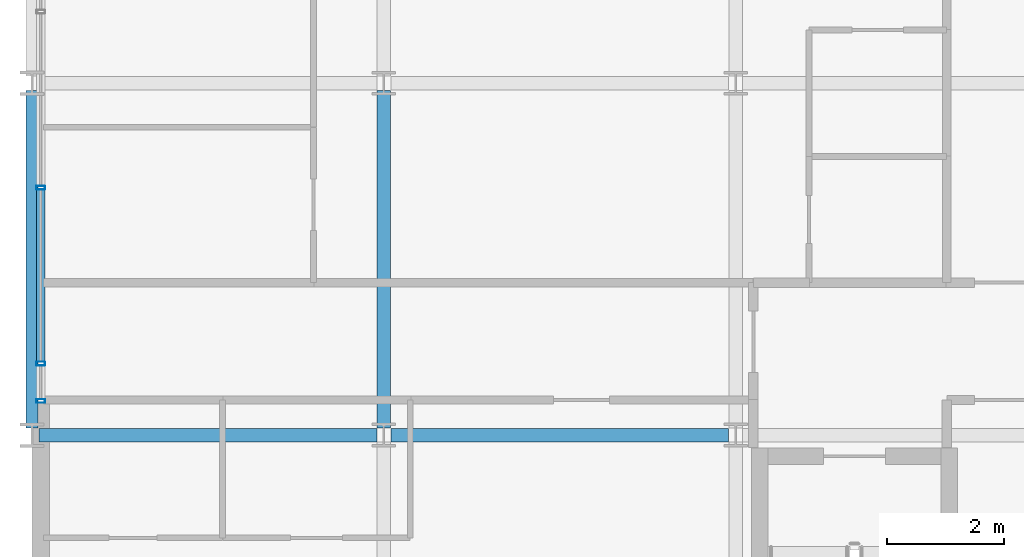
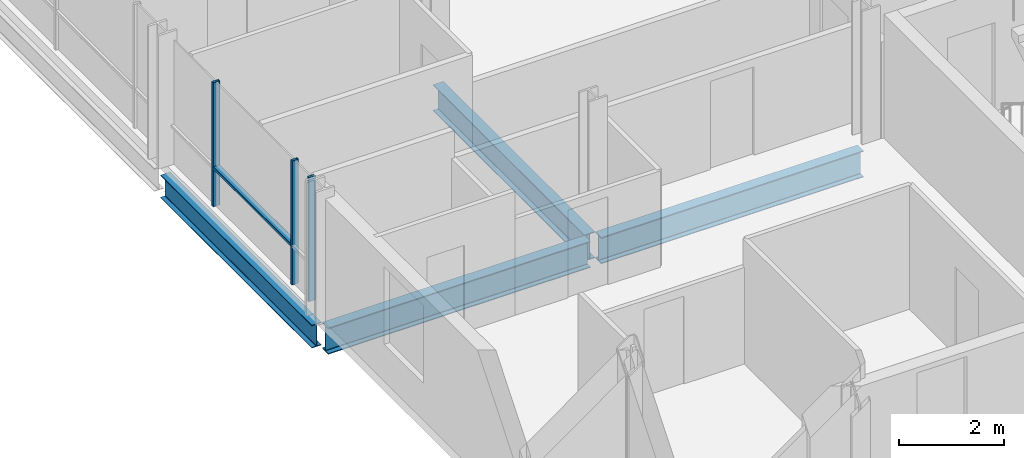
# One storey, part 4 of 41: 4 beams, 4 members, 1 element without a shape of its own.
"""IFC4 building model written with IfcOpenShell, lengths in metres."""

from ifc_helpers import new_model, si_unit, direction, frame, origin, origin_2d, place, context, subcontext, project, spatial, hollow_rectangle, i_section, extrude, material, layer, layer_set, material_profile, profile_set, type_object, element, aggregate, save


model = new_model("IFC4")

# Units and contexts
model_context = context("Model", 3, precision=1e-05, world=origin(), true_north=direction((0.0, 1.0)))
body_context = subcontext(model_context, "Body", "Model", "MODEL_VIEW")
ifc_project = project(units=[si_unit("LENGTHUNIT", "METRE"), si_unit("AREAUNIT", "SQUARE_METRE"), si_unit("VOLUMEUNIT", "CUBIC_METRE"), si_unit("PLANEANGLEUNIT", "RADIAN"), si_unit("MASSUNIT", "GRAM", prefix="KILO")], contexts=[model_context])

# Site, building, storey
site_placement = place(None, origin())
site = spatial("IfcSite", under=ifc_project, at=site_placement, CompositionType="ELEMENT")
building_placement = place(site_placement, origin())
building = spatial("IfcBuilding", under=site, at=building_placement, Name="Brevholm Reach", CompositionType="ELEMENT")
storey_placement = place(building_placement, frame((0.0, 0.0, 138.699951171875)))
storey = spatial("IfcBuildingStorey", under=building, at=storey_placement, Name="L41", CompositionType="ELEMENT", Elevation=138.699951171875)

# Beams
ifc_material_1 = material(Name="Structural Steel S355J2", Category="steel")
ifc_material_profile_1 = material_profile(ifc_material_1, i_section(OverallWidth=0.209228515625, OverallDepth=0.533203125, WebThickness=0.010009765625, FlangeThickness=0.015625, FilletRadius=0.0126953125, at=origin_2d()), Name="UKB 533x210x92")
ifc_profile_set_1 = profile_set([ifc_material_profile_1], Name="Structural Steel S355J2")
beam_type_1 = type_object("IfcBeamType", Name="BM-SP533", PredefinedType="SPANDREL", material=ifc_profile_set_1)
beam_placement = place(storey_placement, frame((0.0, 10.1201171875, -0.486572265625), z_axis=(0.0, 1.0, 0.0), x_axis=(-1.0, 0.0, 0.0)))
element("IfcBeam", 1, at=beam_placement, inside=storey, type_object=beam_type_1, Name="L41 SP-02 Framing Beam", PredefinedType="SPANDREL", context=body_context, shape_type="SweptSolid", body=[
    extrude(i_section(OverallWidth=0.209228515625, OverallDepth=0.533203125, WebThickness=0.010009765625, FlangeThickness=0.015625, FilletRadius=0.0126953125, at=origin_2d()), origin(), (0.0, 0.0, 1.0), 5.759765625),
])
ifc_material_2 = material(Name="Structural Steel S355J2", Category="steel")
ifc_material_profile_2 = material_profile(ifc_material_2, i_section(OverallWidth=0.22900390625, OverallDepth=0.6123046875, WebThickness=0.011962890625, FlangeThickness=0.01953125, FilletRadius=0.0126953125, at=origin_2d()), Name="UKB 610x229x125")
ifc_profile_set_2 = profile_set([ifc_material_profile_2], Name="Structural Steel S355J2")
beam_type_2 = type_object("IfcBeamType", Name="BM-SP610", PredefinedType="SPANDREL", material=ifc_profile_set_2)
for number, where, z_axis, x_axis, name in (
    (2, (0.1201171875, 10.0, -0.526123046875), (1.0, 0.0, 0.0), (0.0, 1.0, 0.0), "L41 SP-01 Framing Beam"),
    (3, (6.1201171875, 10.0, -0.526123046875), (1.0, 0.0, 0.0), (0.0, 1.0, 0.0), "L41 SP-01 Framing Beam"),
    (4, (6.0, 10.1201171875, -0.526123046875), (0.0, 1.0, 0.0), (-1.0, 0.0, 0.0), "L41 SP-01 Framing Beam"),
):
    element("IfcBeam", number, at=place(storey_placement, frame(where, z_axis=z_axis, x_axis=x_axis)), inside=storey, type_object=beam_type_2, Name=name, PredefinedType="SPANDREL", context=body_context, shape_type="SweptSolid", body=[
        extrude(i_section(OverallWidth=0.22900390625, OverallDepth=0.6123046875, WebThickness=0.011962890625, FlangeThickness=0.01953125, FilletRadius=0.0126953125, at=origin_2d()), origin(), (0.0, 0.0, 1.0), 5.759765625),
    ])

# Curtain wall, members
ifc_material_3 = material(Name="Dark Anodised Aluminium 6063-T6 and Solar-Control Glass", Category="aluminium")
ifc_layer = layer(ifc_material_3, 0.14990234375)
ifc_layer_set = layer_set([ifc_layer], Name="Dark Anodised Aluminium 6063-T6 and Solar-Control Glass")
curtain_wall_type = type_object("IfcCurtainWallType", Name="CW-01", PredefinedType="NOTDEFINED", material=ifc_layer_set)
curtain_wall_placement = place(storey_placement, origin())
curtain_wall = element("IfcCurtainWall", 5, at=curtain_wall_placement, inside=storey, type_object=curtain_wall_type, Name="L41 Curtain Wall CW-01", PredefinedType="NOTDEFINED")
ifc_material_4 = material(Name="Dark Anodised Aluminium 6063-T6", Category="aluminium")
ifc_material_profile_3 = material_profile(ifc_material_4, hollow_rectangle(XDim=0.06494140625, YDim=0.14990234375, WallThickness=0.0048828125, InnerFilletRadius=0.0048828125, OuterFilletRadius=0.010009765625, at=origin_2d()), Name="RHS 150x65x5")
ifc_profile_set_3 = profile_set([ifc_material_profile_3], Name="Dark Anodised Aluminium 6063-T6")
member_type_1 = type_object("IfcMemberType", Name="CWM-150", PredefinedType="MULLION", material=ifc_profile_set_3)
member_1_placement = place(storey_placement, frame((0.14990234375, 14.219970703125, 0.0), z_axis=(0.0, 0.0, 1.0), x_axis=(0.0, -1.0, 0.0)))
member_1 = element("IfcMember", 6, at=member_1_placement, type_object=member_type_1, Name="CM-150 Mullion 4", PredefinedType="MULLION", context=body_context, shape_type="SweptSolid", body=[
    extrude(hollow_rectangle(XDim=0.06494140625, YDim=0.14990234375, WallThickness=0.0048828125, InnerFilletRadius=0.0048828125, OuterFilletRadius=0.010009765625, at=origin_2d()), origin(), (0.0, 0.0, 1.0), 2.880126953125),
])
member_2_placement = place(storey_placement, frame((0.14990234375, 11.219970703125, 0.0), z_axis=(0.0, 0.0, 1.0), x_axis=(0.0, -1.0, 0.0)))
member_2 = element("IfcMember", 7, at=member_2_placement, type_object=member_type_1, Name="CM-150 Mullion 5", PredefinedType="MULLION", context=body_context, shape_type="SweptSolid", body=[
    extrude(hollow_rectangle(XDim=0.06494140625, YDim=0.14990234375, WallThickness=0.0048828125, InnerFilletRadius=0.0048828125, OuterFilletRadius=0.010009765625, at=origin_2d()), origin(), (0.0, 0.0, 1.0), 2.880126953125),
])
member_3_placement = place(storey_placement, frame((0.14990234375, 10.58251953125, 0.0), z_axis=(0.0, 0.0, 1.0), x_axis=(0.0, -1.0, 0.0)))
member_3 = element("IfcMember", 8, at=member_3_placement, type_object=member_type_1, Name="CM-150 Mullion 6", PredefinedType="MULLION", context=body_context, shape_type="SweptSolid", body=[
    extrude(hollow_rectangle(XDim=0.06494140625, YDim=0.14990234375, WallThickness=0.0048828125, InnerFilletRadius=0.0048828125, OuterFilletRadius=0.010009765625, at=origin_2d()), origin(), (0.0, 0.0, 1.0), 2.880126953125),
])
ifc_material_5 = material(Name="Dark Anodised Aluminium 6063-T6", Category="aluminium")
ifc_material_profile_4 = material_profile(ifc_material_5, hollow_rectangle(XDim=0.06494140625, YDim=0.14990234375, WallThickness=0.0048828125, InnerFilletRadius=0.0048828125, OuterFilletRadius=0.010009765625, at=origin_2d()), Name="RHS 150x65x5")
ifc_profile_set_4 = profile_set([ifc_material_profile_4], Name="Dark Anodised Aluminium 6063-T6")
member_type_2 = type_object("IfcMemberType", Name="CWT-150", PredefinedType="NOTDEFINED", material=ifc_profile_set_4)
member_4_placement = place(storey_placement, frame((0.14990234375, 14.1875, 0.900146484375), z_axis=(0.0, -1.0, 0.0), x_axis=(0.0, 0.0, 1.0)))
member_4 = element("IfcMember", 9, at=member_4_placement, type_object=member_type_2, Name="CT-150 Transom 4.1", ObjectType="TRANSOM", PredefinedType="USERDEFINED", context=body_context, shape_type="SweptSolid", body=[
    extrude(hollow_rectangle(XDim=0.06494140625, YDim=0.14990234375, WallThickness=0.0048828125, InnerFilletRadius=0.0048828125, OuterFilletRadius=0.010009765625, at=origin_2d()), origin(), (0.0, 0.0, 1.0), 2.93505859375),
])
aggregate(curtain_wall, [member_1, member_2, member_3, member_4])

save(model, "model.ifc")
